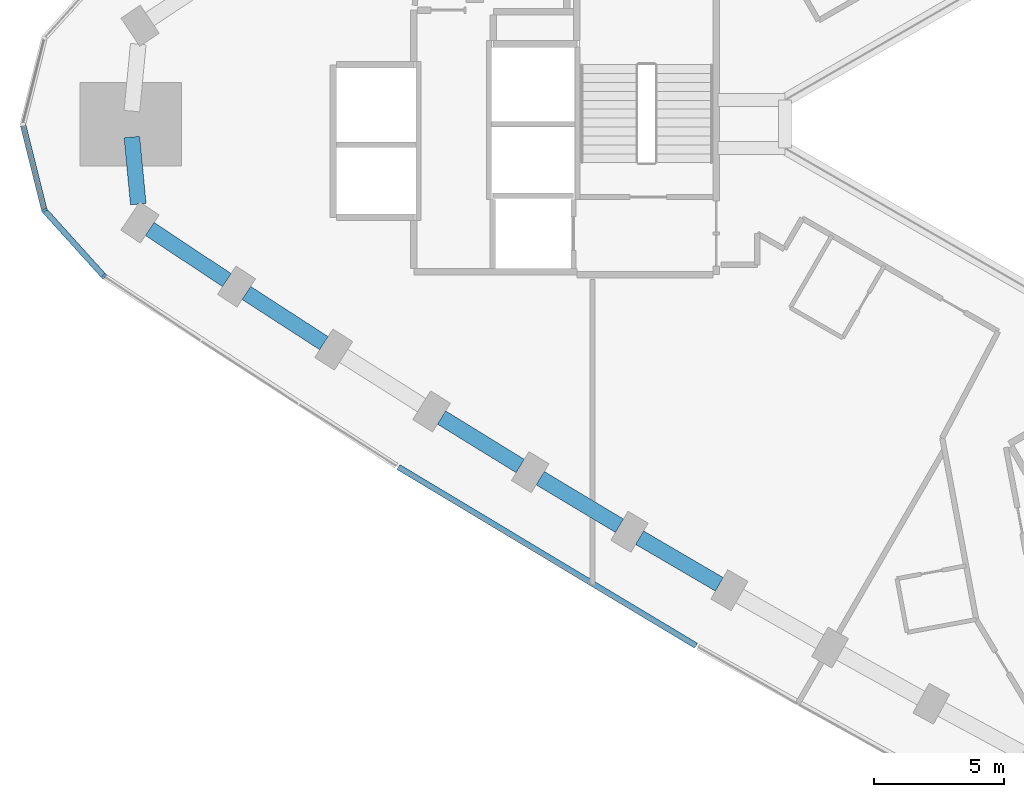
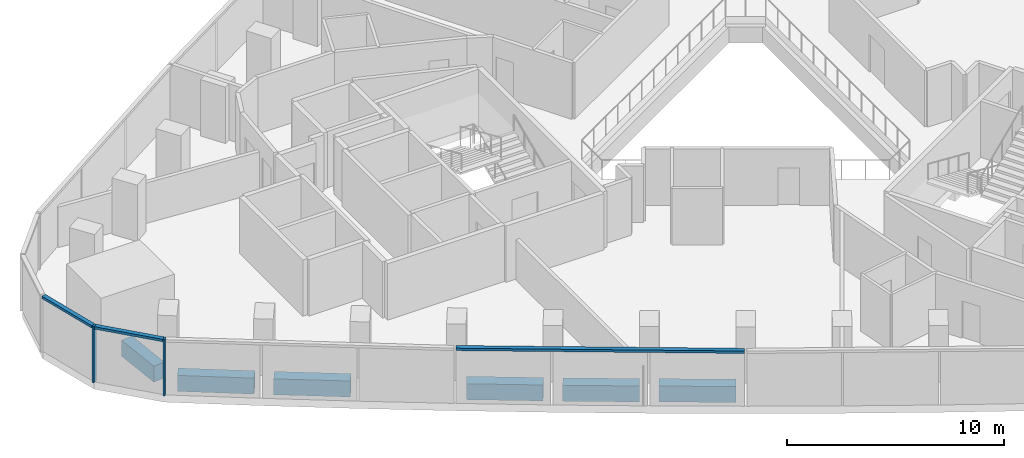
# One storey, part 2 of 12: 6 beams, 5 members, 2 elements without a shape of their own.
"""IFC4 building model written with IfcOpenShell, lengths in metres."""

from ifc_helpers import new_model, si_unit, direction, frame, origin, origin_2d, place, context, subcontext, project, spatial, rectangle, extrude, material, material_profile, profile_set, type_object, element, aggregate, save


model = new_model("IFC4")

# Units and contexts
model_context = context("Model", 3, precision=1e-05, world=origin(), true_north=direction((0.0, 1.0)))
body_context = subcontext(model_context, "Body", "Model", "MODEL_VIEW")
ifc_project = project(units=[si_unit("LENGTHUNIT", "METRE"), si_unit("AREAUNIT", "SQUARE_METRE"), si_unit("VOLUMEUNIT", "CUBIC_METRE"), si_unit("PLANEANGLEUNIT", "RADIAN"), si_unit("MASSUNIT", "GRAM", prefix="KILO")], contexts=[model_context])

# Site, building, storey
site_placement = place(None, origin())
site = spatial("IfcSite", under=ifc_project, at=site_placement, CompositionType="ELEMENT")
building_placement = place(site_placement, origin())
building = spatial("IfcBuilding", under=site, at=building_placement, Name="Tamra Quay Hotel Tower", CompositionType="ELEMENT")
storey_placement = place(building_placement, frame((0.0, 0.0, 104.60009765625)))
storey = spatial("IfcBuildingStorey", under=building, at=storey_placement, Name="L25", CompositionType="ELEMENT", Elevation=104.60009765625)

# Curtain wall, member
ifc_material_1 = material(Name="Aluminium 6063 anodised dark grey", Category="aluminium")
curtain_wall_type_1 = type_object("IfcCurtainWallType", Name="CW2 CURTAIN WALL", PredefinedType="NOTDEFINED", material=ifc_material_1)
curtain_wall_1_placement = place(storey_placement, origin())
curtain_wall_1 = element("IfcCurtainWall", 1, at=curtain_wall_1_placement, inside=storey, type_object=curtain_wall_type_1, Name="CW2 north-west face L25", PredefinedType="NOTDEFINED")
ifc_material_profile_1 = material_profile(ifc_material_1, rectangle(XDim=0.219970703125, YDim=0.10009765625, at=origin_2d()), Name="MULLION 100X220")
ifc_profile_set_1 = profile_set([ifc_material_profile_1], Name="Aluminium 6063 anodised dark grey")
member_type_1 = type_object("IfcMemberType", Name="MULLION CW2 Z2", PredefinedType="MULLION", material=ifc_profile_set_1)
member_1_placement = place(storey_placement, frame((-36.623046875, -3.308349609375, 0.0), z_axis=(0.0, 0.0, 1.0), x_axis=(-0.882543846683, -0.47023011248, 0.0)))
member_1 = element("IfcMember", 2, at=member_1_placement, type_object=member_type_1, Name="CW2 mullion L25.NW.16", PredefinedType="MULLION", context=body_context, shape_type="SweptSolid", body=[
    extrude(rectangle(XDim=0.219970703125, YDim=0.10009765625, at=origin_2d()), origin(), (0.0, 0.0, 1.0), 3.1748046875),
])

curtain_wall_type_2 = type_object("IfcCurtainWallType", Name="CW3 CURTAIN WALL", PredefinedType="NOTDEFINED", material=ifc_material_1)
curtain_wall_2_placement = place(storey_placement, origin())
curtain_wall_2 = element("IfcCurtainWall", 3, at=curtain_wall_2_placement, inside=storey, type_object=curtain_wall_type_2, Name="CW3 south-west face L25", PredefinedType="NOTDEFINED")
ifc_material_profile_2 = material_profile(ifc_material_1, rectangle(XDim=0.219970703125, YDim=0.10009765625, at=origin_2d()), Name="MULLION 100X220")
ifc_profile_set_2 = profile_set([ifc_material_profile_2], Name="Aluminium 6063 anodised dark grey")
member_type_2 = type_object("IfcMemberType", Name="MULLION CW3 Z2", PredefinedType="MULLION", material=ifc_profile_set_2)
member_2_placement = place(storey_placement, frame((-34.338134765625, -5.839599609375, 0.0), z_axis=(0.0, 0.0, 1.0), x_axis=(-0.652886835472, -0.757455464081, 0.0)))
member_2 = element("IfcMember", 4, at=member_2_placement, type_object=member_type_2, Name="CW3 mullion L25.SW.1", PredefinedType="MULLION", context=body_context, shape_type="SweptSolid", body=[
    extrude(rectangle(XDim=0.219970703125, YDim=0.10009765625, at=origin_2d()), origin(), (0.0, 0.0, 1.0), 3.1748046875),
])

# Beams
ifc_material_2 = material(Name="Concrete M60", Category="concrete")
ifc_material_profile_3 = material_profile(ifc_material_2, rectangle(XDim=0.60009765625, YDim=0.89990234375, at=origin_2d()), Name="SPANDREL BEAM RC 600x900")
ifc_profile_set_3 = profile_set([ifc_material_profile_3], Name="Concrete M60")
beam_type = type_object("IfcBeamType", Name="SPANDREL BEAM RC 600x900", PredefinedType="SPANDREL", material=ifc_profile_set_3)
beam_1_placement = place(storey_placement, frame((-33.26611328125, -0.497802734375, -0.875), z_axis=(0.09550001445, -0.995429428558, 0.0), x_axis=(0.995429428558, 0.09550001445, 0.0)))
element("IfcBeam", 5, at=beam_1_placement, inside=storey, type_object=beam_type, Name="BM-SP2-027-L25", PredefinedType="SPANDREL", context=body_context, shape_type="SweptSolid", body=[
    extrude(rectangle(XDim=0.60009765625, YDim=0.89990234375, at=origin_2d()), origin(), (0.0, 0.0, 1.0), 2.58447265625),
])
beam_2_placement = place(storey_placement, frame((-32.57666015625, -4.025390625, -0.875), z_axis=(0.832981511469, -0.55330082374, 0.0), x_axis=(0.55330082374, 0.832981511469, 0.0)))
element("IfcBeam", 6, at=beam_2_placement, inside=storey, type_object=beam_type, Name="BM-SP2-028-L25", PredefinedType="SPANDREL", context=body_context, shape_type="SweptSolid", body=[
    extrude(rectangle(XDim=0.60009765625, YDim=0.89990234375, at=origin_2d()), origin(), (0.0, 0.0, 1.0), 3.544921875),
])
beam_3_placement = place(storey_placement, frame((-28.87109375, -6.480712890625, -0.875), z_axis=(0.839237385713, -0.543765216266, 0.0), x_axis=(0.543765216266, 0.839237385713, 0.0)))
element("IfcBeam", 7, at=beam_3_placement, inside=storey, type_object=beam_type, Name="BM-SP2-029-L25", PredefinedType="SPANDREL", context=body_context, shape_type="SweptSolid", body=[
    extrude(rectangle(XDim=0.60009765625, YDim=0.89990234375, at=origin_2d()), origin(), (0.0, 0.0, 1.0), 3.544677734375),
])
beam_4_placement = place(storey_placement, frame((-21.3779296875, -11.263427734375, -0.875), z_axis=(0.851393361846, -0.524527733685, 0.0), x_axis=(0.524527733685, 0.851393361846, 0.0)))
element("IfcBeam", 8, at=beam_4_placement, inside=storey, type_object=beam_type, Name="BM-SP2-031-L25", PredefinedType="SPANDREL", context=body_context, shape_type="SweptSolid", body=[
    extrude(rectangle(XDim=0.60009765625, YDim=0.89990234375, at=origin_2d()), origin(), (0.0, 0.0, 1.0), 3.544921875),
])
for number, where, z_axis, x_axis, name in (
    (9, (-17.5908203125, -13.59033203125, -0.875), (0.857286231776, -0.514840088578, 0.0), (0.514840088578, 0.857286231776, 0.0), "BM-SP2-032-L25"),
    (10, (-13.777587890625, -15.8740234375, -0.875), (0.863128698129, -0.504984010109, 0.0), (0.504984010109, 0.863128698129, 0.0), "BM-SP2-033-L25"),
):
    element("IfcBeam", number, at=place(storey_placement, frame(where, z_axis=z_axis, x_axis=x_axis)), inside=storey, type_object=beam_type, Name=name, PredefinedType="SPANDREL", context=body_context, shape_type="SweptSolid", body=[
        extrude(rectangle(XDim=0.60009765625, YDim=0.89990234375, at=origin_2d()), origin(), (0.0, 0.0, 1.0), 3.544677734375),
    ])

# Member
ifc_material_profile_4 = material_profile(ifc_material_1, rectangle(XDim=0.219970703125, YDim=0.139892578125, at=origin_2d()), Name="TRANSOM 220X140")
ifc_profile_set_4 = profile_set([ifc_material_profile_4], Name="Aluminium 6063 anodised dark grey")
member_type_3 = type_object("IfcMemberType", Name="TRANSOM CW2 Z2", PredefinedType="USERDEFINED", material=ifc_profile_set_4)
member_3_placement = place(storey_placement, frame((-37.437255859375, -0.048583984375, 3.10498046875), z_axis=(0.242292652285, -0.970203211007, 0.0), x_axis=(0.970203211007, 0.242292652285, 0.0)))
member_3 = element("IfcMember", 11, at=member_3_placement, type_object=member_type_3, Name="CW2 transom L25.NW.15", ObjectType="TRANSOM", PredefinedType="USERDEFINED", context=body_context, shape_type="SweptSolid", body=[
    extrude(rectangle(XDim=0.219970703125, YDim=0.139892578125, at=origin_2d()), origin(), (0.0, 0.0, 1.0), 3.31005859375),
])

member_4_placement = place(storey_placement, frame((-36.589599609375, -3.345458984375, 3.10498046875), z_axis=(0.670080516261, -0.742288422196, 0.0), x_axis=(0.742288422196, 0.670080516261, 0.0)))
member_4 = element("IfcMember", 12, at=member_4_placement, type_object=member_type_3, Name="CW2 transom L25.NW.16", ObjectType="TRANSOM", PredefinedType="USERDEFINED", context=body_context, shape_type="SweptSolid", body=[
    extrude(rectangle(XDim=0.219970703125, YDim=0.139892578125, at=origin_2d()), origin(), (0.0, 0.0, 1.0), 3.31005859375),
])

aggregate(curtain_wall_1, [member_3, member_1, member_4])

ifc_material_profile_5 = material_profile(ifc_material_1, rectangle(XDim=0.219970703125, YDim=0.139892578125, at=origin_2d()), Name="TRANSOM 220X140")
ifc_profile_set_5 = profile_set([ifc_material_profile_5], Name="Aluminium 6063 anodised dark grey")
member_type_4 = type_object("IfcMemberType", Name="TRANSOM CW3 Z2", PredefinedType="USERDEFINED", material=ifc_profile_set_5)
member_5_placement = place(storey_placement, frame((-23.034423828125, -13.16259765625, 3.10498046875), z_axis=(0.857332765871, -0.514762594372, 0.0), x_axis=(0.514762594372, 0.857332765871, 0.0)))
member_5 = element("IfcMember", 13, at=member_5_placement, type_object=member_type_4, Name="CW3 transom L25.SW.4", ObjectType="TRANSOM", PredefinedType="USERDEFINED", context=body_context, shape_type="SweptSolid", body=[
    extrude(rectangle(XDim=0.219970703125, YDim=0.139892578125, at=origin_2d()), origin(), (0.0, 0.0, 1.0), 13.319091796875),
])

aggregate(curtain_wall_2, [member_2, member_5])

save(model, "model.ifc")
